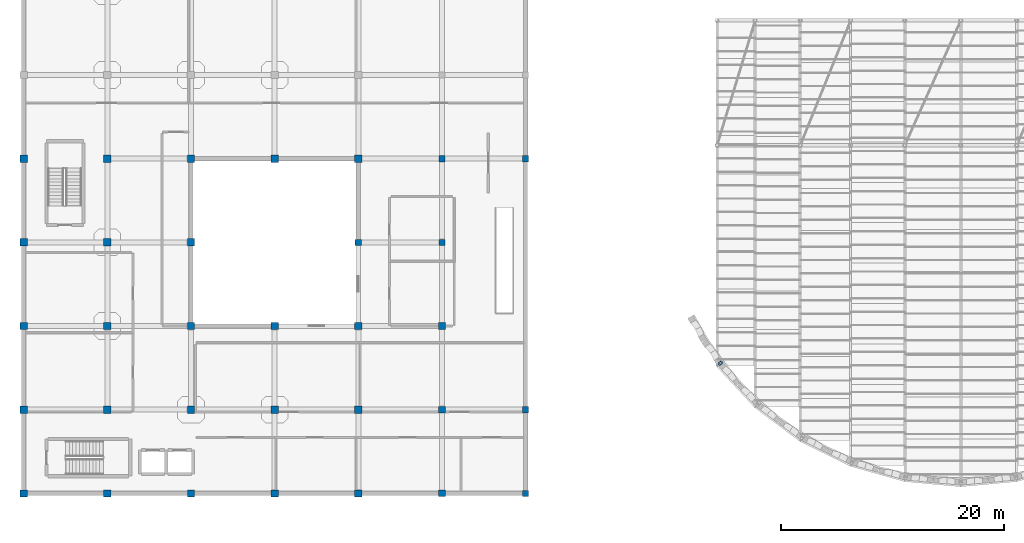
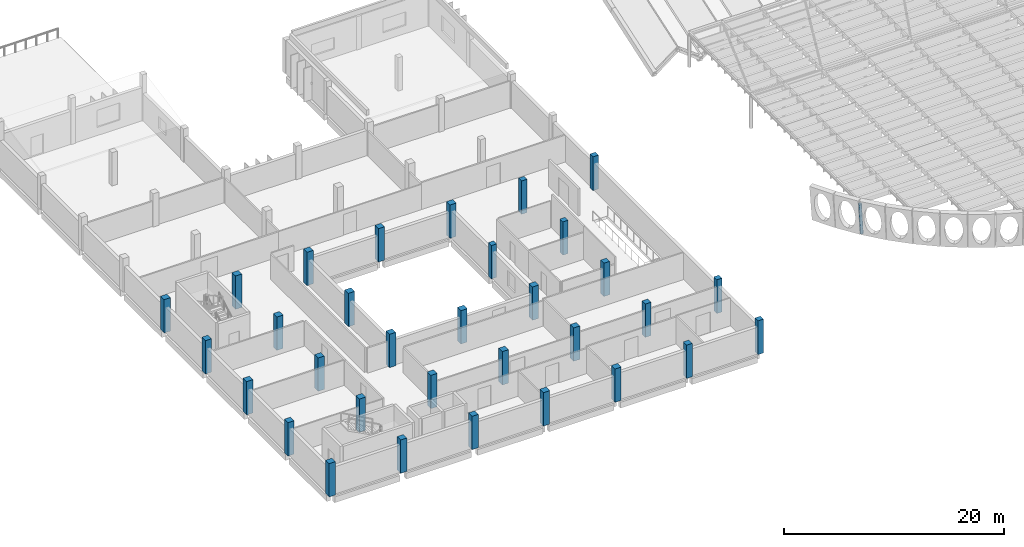
# One storey, part 1 of 47: 33 columns.
"""IFC4 building model written with IfcOpenShell, lengths in metres."""

from ifc_helpers import new_model, si_unit, direction, frame, origin, origin_2d, place, context, subcontext, project, spatial, rectangle, hollow_circle, extrude, material, material_profile, profile_set, type_object, element, save


model = new_model("IFC4")

# Units and contexts
model_context = context("Model", 3, precision=1e-05, world=origin(), true_north=direction((0.0, 1.0)))
body_context = subcontext(model_context, "Body", "Model", "MODEL_VIEW")
ifc_project = project(units=[si_unit("LENGTHUNIT", "METRE"), si_unit("AREAUNIT", "SQUARE_METRE"), si_unit("VOLUMEUNIT", "CUBIC_METRE"), si_unit("PLANEANGLEUNIT", "RADIAN"), si_unit("MASSUNIT", "GRAM", prefix="KILO")], contexts=[model_context])

# Site, building, storey
site_placement = place(None, origin())
site = spatial("IfcSite", under=ifc_project, at=site_placement, CompositionType="ELEMENT")
building_placement = place(site_placement, origin())
building = spatial("IfcBuilding", under=site, at=building_placement, Name="Mawjan Specialist Oncology Clinic", CompositionType="ELEMENT")
storey_placement = place(building_placement, frame((0.0, 0.0, 9.5)))
storey = spatial("IfcBuildingStorey", under=building, at=storey_placement, Name="L02", CompositionType="ELEMENT", Elevation=9.5)

# Columns
ifc_material_1 = material(Name="Concrete C45/55", Category="concrete")
ifc_material_profile_1 = material_profile(ifc_material_1, rectangle(XDim=0.550048828125, YDim=0.550048828125, at=origin_2d()), Name="RC COL 550x550", Category="concrete")
ifc_profile_set_1 = profile_set([ifc_material_profile_1], Name="Concrete C45/55")
column_type_1 = type_object("IfcColumnType", Name="C-550", PredefinedType="COLUMN", material=ifc_profile_set_1)
for number, where, z_axis, x_axis, name in (
    (1, (30.0, 23.300048828125, 0.0), (0.0, 0.0, 1.0), (1.0, 0.0, 0.0), "L02 Column G-5-D"),
    (2, (37.5, 23.300048828125, 0.0), (0.0, 0.0, 1.0), (1.0, 0.0, 0.0), "L02 Column G-6-D"),
    (3, (37.5, 30.800048828125, 0.0), (0.0, 0.0, 1.0), (1.0, 0.0, 0.0), "L02 Column G-6-E"),
):
    element("IfcColumn", number, at=place(storey_placement, frame(where, z_axis=z_axis, x_axis=x_axis)), inside=storey, type_object=column_type_1, Name=name, PredefinedType="COLUMN", context=body_context, shape_type="SweptSolid", body=[
        extrude(rectangle(XDim=0.550048828125, YDim=0.550048828125, at=origin_2d()), origin(), (0.0, 0.0, 1.0), 3.699951171875),
    ])
for number, where, z_axis, x_axis, name in (
    (4, (45.0, 0.800048828125, 0.0), (0.0, 0.0, 1.0), (1.0, 0.0, 0.0), "L02 Column G-7-A"),
    (5, (45.0, 8.300048828125, 0.0), (0.0, 0.0, 1.0), (1.0, 0.0, 0.0), "L02 Column G-7-B"),
    (6, (45.0, 30.800048828125, 0.0), (0.0, 0.0, 1.0), (1.0, 0.0, 0.0), "L02 Column G-7-E"),
):
    element("IfcColumn", number, at=place(storey_placement, frame(where, z_axis=z_axis, x_axis=x_axis)), inside=storey, type_object=column_type_1, Name=name, PredefinedType="COLUMN", context=body_context, shape_type="SweptSolid", body=[
        extrude(rectangle(XDim=0.550048828125, YDim=0.550048828125, at=origin_2d()), origin(), (0.0, 0.0, 1.0), 3.75),
    ])
ifc_material_2 = material(Name="Concrete C45/55", Category="concrete")
ifc_material_profile_2 = material_profile(ifc_material_2, rectangle(XDim=0.60009765625, YDim=0.60009765625, at=origin_2d()), Name="RC COL 600x600", Category="concrete")
ifc_profile_set_2 = profile_set([ifc_material_profile_2], Name="Concrete C45/55")
column_type_2 = type_object("IfcColumnType", Name="C-600", PredefinedType="COLUMN", material=ifc_profile_set_2)
for number, where, z_axis, x_axis, name in (
    (7, (37.5, 0.800048828125, 0.0), (0.0, 0.0, 1.0), (1.0, 0.0, 0.0), "L02 Column G-6-A"),
    (8, (37.5, 8.300048828125, 0.0), (0.0, 0.0, 1.0), (1.0, 0.0, 0.0), "L02 Column G-6-B"),
    (9, (37.5, 15.800048828125, 0.0), (0.0, 0.0, 1.0), (1.0, 0.0, 0.0), "L02 Column G-6-C"),
):
    element("IfcColumn", number, at=place(storey_placement, frame(where, z_axis=z_axis, x_axis=x_axis)), inside=storey, type_object=column_type_2, Name=name, PredefinedType="COLUMN", context=body_context, shape_type="SweptSolid", body=[
        extrude(rectangle(XDim=0.60009765625, YDim=0.60009765625, at=origin_2d()), origin(), (0.0, 0.0, 1.0), 3.699951171875),
    ])
ifc_material_3 = material(Name="Concrete C45/55", Category="concrete")
ifc_material_profile_3 = material_profile(ifc_material_3, rectangle(XDim=0.64990234375, YDim=0.64990234375, at=origin_2d()), Name="RC COL 650x650", Category="concrete")
ifc_profile_set_3 = profile_set([ifc_material_profile_3], Name="Concrete C45/55")
column_type_3 = type_object("IfcColumnType", Name="C-650", PredefinedType="COLUMN", material=ifc_profile_set_3)
for number, where, z_axis, x_axis, name in (
    (10, (0.0, 0.800048828125, 0.0), (0.0, 0.0, 1.0), (1.0, 0.0, 0.0), "L02 Column G-1-A"),
    (11, (0.0, 8.300048828125, 0.0), (0.0, 0.0, 1.0), (1.0, 0.0, 0.0), "L02 Column G-1-B"),
    (12, (0.0, 15.800048828125, 0.0), (0.0, 0.0, 1.0), (1.0, 0.0, 0.0), "L02 Column G-1-C"),
    (13, (0.0, 23.300048828125, 0.0), (0.0, 0.0, 1.0), (1.0, 0.0, 0.0), "L02 Column G-1-D"),
    (14, (0.0, 30.800048828125, 0.0), (0.0, 0.0, 1.0), (1.0, 0.0, 0.0), "L02 Column G-1-E"),
    (15, (7.5, 0.800048828125, 0.0), (0.0, 0.0, 1.0), (1.0, 0.0, 0.0), "L02 Column G-2-A"),
    (16, (7.5, 8.300048828125, 0.0), (0.0, 0.0, 1.0), (1.0, 0.0, 0.0), "L02 Column G-2-B"),
    (17, (7.5, 15.800048828125, 0.0), (0.0, 0.0, 1.0), (1.0, 0.0, 0.0), "L02 Column G-2-C"),
    (18, (7.5, 23.300048828125, 0.0), (0.0, 0.0, 1.0), (1.0, 0.0, 0.0), "L02 Column G-2-D"),
    (19, (7.5, 30.800048828125, 0.0), (0.0, 0.0, 1.0), (1.0, 0.0, 0.0), "L02 Column G-2-E"),
    (20, (15.0, 0.800048828125, 0.0), (0.0, 0.0, 1.0), (1.0, 0.0, 0.0), "L02 Column G-3-A"),
    (21, (15.0, 8.300048828125, 0.0), (0.0, 0.0, 1.0), (1.0, 0.0, 0.0), "L02 Column G-3-B"),
    (22, (15.0, 15.800048828125, 0.0), (0.0, 0.0, 1.0), (1.0, 0.0, 0.0), "L02 Column G-3-C"),
    (23, (15.0, 23.300048828125, 0.0), (0.0, 0.0, 1.0), (1.0, 0.0, 0.0), "L02 Column G-3-D"),
    (24, (15.0, 30.800048828125, 0.0), (0.0, 0.0, 1.0), (1.0, 0.0, 0.0), "L02 Column G-3-E"),
    (25, (22.5, 0.800048828125, 0.0), (0.0, 0.0, 1.0), (1.0, 0.0, 0.0), "L02 Column G-4-A"),
    (26, (22.5, 8.300048828125, 0.0), (0.0, 0.0, 1.0), (1.0, 0.0, 0.0), "L02 Column G-4-B"),
    (27, (22.5, 15.800048828125, 0.0), (0.0, 0.0, 1.0), (1.0, 0.0, 0.0), "L02 Column G-4-C"),
    (28, (22.5, 30.800048828125, 0.0), (0.0, 0.0, 1.0), (1.0, 0.0, 0.0), "L02 Column G-4-E"),
    (29, (30.0, 0.800048828125, 0.0), (0.0, 0.0, 1.0), (1.0, 0.0, 0.0), "L02 Column G-5-A"),
    (30, (30.0, 8.300048828125, 0.0), (0.0, 0.0, 1.0), (1.0, 0.0, 0.0), "L02 Column G-5-B"),
    (31, (30.0, 15.800048828125, 0.0), (0.0, 0.0, 1.0), (1.0, 0.0, 0.0), "L02 Column G-5-C"),
    (32, (30.0, 30.800048828125, 0.0), (0.0, 0.0, 1.0), (1.0, 0.0, 0.0), "L02 Column G-5-E"),
):
    element("IfcColumn", number, at=place(storey_placement, frame(where, z_axis=z_axis, x_axis=x_axis)), inside=storey, type_object=column_type_3, Name=name, PredefinedType="COLUMN", context=body_context, shape_type="SweptSolid", body=[
        extrude(rectangle(XDim=0.64990234375, YDim=0.64990234375, at=origin_2d()), origin(), (0.0, 0.0, 1.0), 3.699951171875),
    ])
ifc_material_4 = material(Name="Structural steel S355", Category="steel")
ifc_material_profile_4 = material_profile(ifc_material_4, hollow_circle(Radius=0.161865234375, WallThickness=0.011962890625, at=origin_2d()), Name="CHS 323.9x12", Category="steel")
ifc_profile_set_4 = profile_set([ifc_material_profile_4], Name="Structural steel S355")
column_type_4 = type_object("IfcColumnType", Name="SC-CHS324", PredefinedType="COLUMN", material=ifc_profile_set_4)
column_placement = place(storey_placement, frame((62.51416015625, 12.51318359375, 0.0), z_axis=(-0.089820730628, -0.068890282596, 0.993572526449), x_axis=(0.608585775244, -0.793488093276, 0.0)))
element("IfcColumn", 33, at=column_placement, inside=storey, type_object=column_type_4, Name="Stone-Arc Restraint Pier 1 L02", PredefinedType="COLUMN", context=body_context, shape_type="SweptSolid", body=[
    extrude(hollow_circle(Radius=0.161865234375, WallThickness=0.011962890625, at=origin_2d()), origin(), (0.0, 0.0, 1.0), 3.522705078125),
])

save(model, "model.ifc")
